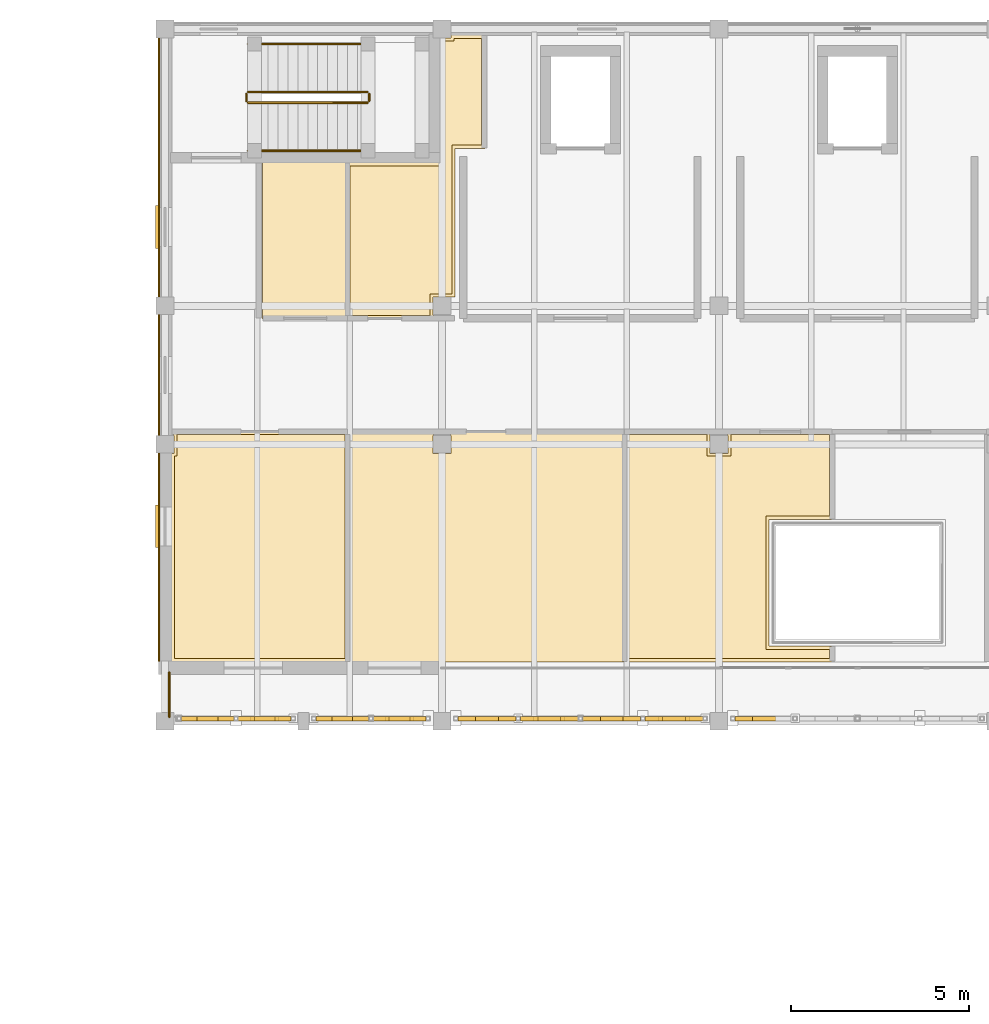
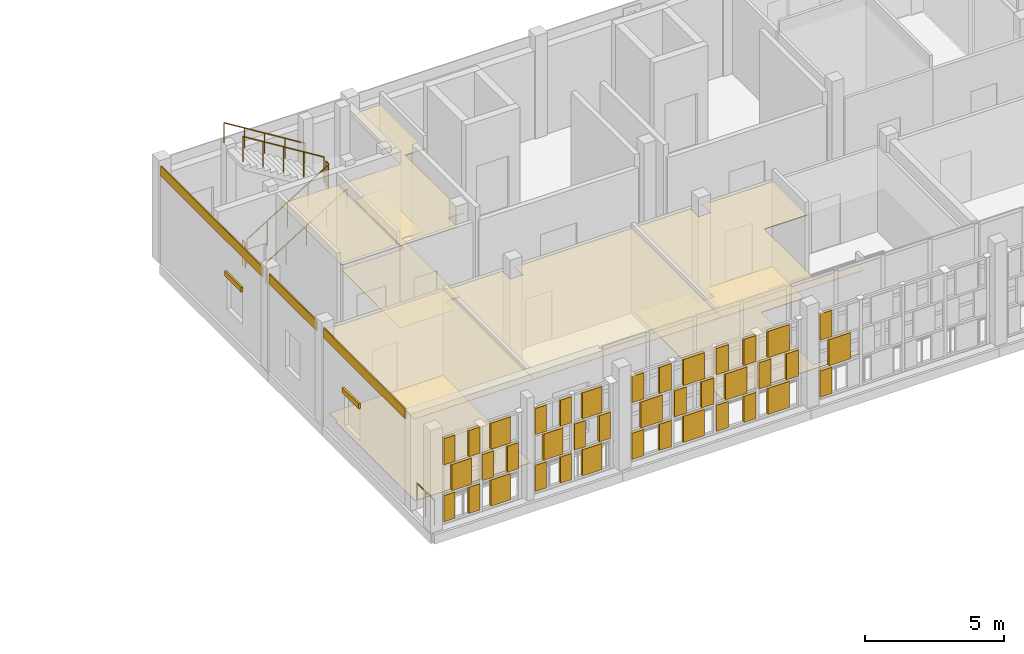
# One storey, part 82 of 89: 50 coverings, 7 railings, 2 shading devices.
"""IFC4 building model written with IfcOpenShell, lengths in metres."""

from ifc_helpers import new_model, si_unit, direction, frame, origin, origin_2d, place, context, subcontext, project, spatial, polyline, rectangle, circle, outline, extrude, material, layer, layer_set, type_object, element, save


model = new_model("IFC4")

# Units and contexts
model_context = context("Model", 3, precision=1e-05, world=origin(), true_north=direction((0.0, 1.0)))
body_context = subcontext(model_context, "Body", "Model", "MODEL_VIEW")
ifc_project = project(units=[si_unit("LENGTHUNIT", "METRE"), si_unit("AREAUNIT", "SQUARE_METRE"), si_unit("VOLUMEUNIT", "CUBIC_METRE"), si_unit("PLANEANGLEUNIT", "RADIAN"), si_unit("MASSUNIT", "GRAM", prefix="KILO")], contexts=[model_context])

# Site, building, storey
site_placement = place(None, origin())
site = spatial("IfcSite", under=ifc_project, at=site_placement, CompositionType="ELEMENT")
building_placement = place(site_placement, origin())
building = spatial("IfcBuilding", under=site, at=building_placement, Name="Celorna Specialist Clinic", CompositionType="ELEMENT")
storey_placement = place(building_placement, frame((0.0, 0.0, 14.10009765625)))
storey = spatial("IfcBuildingStorey", under=building, at=storey_placement, Name="L03", CompositionType="ELEMENT", Elevation=14.10009765625)

# Railing
ifc_material_1 = material(Name="Stainless steel and laminated glass balustrade", Category="steel")
railing_type_1 = type_object("IfcRailingType", Name="BL-01", PredefinedType="BALUSTRADE", material=ifc_material_1)
railing_1_placement = place(storey_placement, frame((46.919921875, 96.6201171875, 0.0)))
element("IfcRailing", 1, at=railing_1_placement, inside=storey, type_object=railing_type_1, Name="Neurology L03 Cloister Veranda perimeter balustrade 1", PredefinedType="BALUSTRADE", context=body_context, shape_type="SweptSolid", body=[
    extrude(circle(Radius=0.02392578125, at=origin_2d()), frame((0.0, 0.0, 1.09619140625), z_axis=(0.0, 1.0, 0.0), x_axis=(-1.0, 0.0, 0.0)), (0.0, 0.0, 1.0), 1.259765625),
    extrude(circle(Radius=0.02099609375, at=origin_2d()), origin(), (0.0, 0.0, 1.0), 1.072021484375),
    extrude(circle(Radius=0.02099609375, at=origin_2d()), frame((0.0, 0.6298828125, 0.0)), (0.0, 0.0, 1.0), 1.072021484375),
    extrude(circle(Radius=0.02099609375, at=origin_2d()), frame((0.0, 1.259765625, 0.0)), (0.0, 0.0, 1.0), 1.072021484375),
])

# Coverings
ifc_material_2 = material(Name="Hygienic acoustic mineral-fibre ceiling")
ifc_layer_1 = layer(ifc_material_2, 0.030029296875, Name="Hygienic acoustic mineral-fibre ceiling")
ifc_layer_set_1 = layer_set([ifc_layer_1], Name="Hygienic acoustic mineral-fibre ceiling")
covering_type_1 = type_object("IfcCoveringType", Name="CE-01", PredefinedType="CEILING", material=ifc_layer_set_1)
covering_1_placement = place(storey_placement, frame((0.0, 0.0, 3.669921875)))
element("IfcCovering", 2, at=covering_1_placement, inside=storey, type_object=covering_type_1, Name="Acoustic ceiling L03-012", PredefinedType="CEILING", context=body_context, shape_type="SweptSolid", body=[
    extrude(outline(polyline([(47.044921875, 104.6650390625), (51.955078125, 104.6650390625), (51.955078125, 98.175048828125), (46.97509765625, 98.175048828125), (46.97509765625, 104.044921875), (47.054931640625, 104.044921875), (47.054931640625, 104.554931640625), (47.044921875, 104.554931640625), (47.044921875, 104.6650390625)])), origin(), (0.0, 0.0, 1.0), 0.030029296875),
])
covering_2_placement = place(storey_placement, frame((0.0, 0.0, 3.669921875)))
element("IfcCovering", 3, at=covering_2_placement, inside=storey, type_object=covering_type_1, Name="Acoustic ceiling L03-013", PredefinedType="CEILING", context=body_context, shape_type="SweptSolid", body=[
    extrude(outline(polyline([(54.35498046875, 104.6650390625), (54.35498046875, 104.554931640625), (54.344970703125, 104.554931640625), (54.344970703125, 104.044921875), (54.85498046875, 104.044921875), (54.85498046875, 104.554931640625), (54.844970703125, 104.554931640625), (54.844970703125, 104.6650390625), (59.7548828125, 104.6650390625), (59.7548828125, 98.175048828125), (51.925048828125, 98.175048828125), (51.925048828125, 104.6650390625), (54.35498046875, 104.6650390625)])), origin(), (0.0, 0.0, 1.0), 0.030029296875),
])
covering_3_placement = place(storey_placement, frame((0.0, 0.0, 3.669921875)))
element("IfcCovering", 4, at=covering_3_placement, inside=storey, type_object=covering_type_1, Name="Acoustic ceiling L03-014", PredefinedType="CEILING", context=body_context, shape_type="SweptSolid", body=[
    extrude(outline(polyline([(59.72509765625, 104.6650390625), (62.155029296875, 104.6650390625), (62.155029296875, 104.554931640625), (62.14501953125, 104.554931640625), (62.14501953125, 104.044921875), (62.655029296875, 104.044921875), (62.655029296875, 104.554931640625), (62.64501953125, 104.554931640625), (62.64501953125, 104.6650390625), (65.60498046875, 104.6650390625), (65.60498046875, 102.18505859375), (63.81494140625, 102.18505859375), (63.81494140625, 98.614990234375), (65.60498046875, 98.614990234375), (65.60498046875, 98.175048828125), (59.72509765625, 98.175048828125), (59.72509765625, 104.6650390625)])), origin(), (0.0, 0.0, 1.0), 0.030029296875),
])
covering_4_placement = place(storey_placement, frame((0.0, 0.0, 3.669921875)))
element("IfcCovering", 5, at=covering_4_placement, inside=storey, type_object=covering_type_1, Name="Acoustic ceiling L03-027", PredefinedType="CEILING", context=body_context, shape_type="SweptSolid", body=[
    extrude(outline(polyline([(49.544921875, 112.235107421875), (51.955078125, 112.235107421875), (51.955078125, 107.8349609375), (49.544921875, 107.8349609375), (49.544921875, 112.235107421875)])), origin(), (0.0, 0.0, 1.0), 0.030029296875),
])
covering_5_placement = place(storey_placement, frame((0.0, 0.0, 3.669921875)))
element("IfcCovering", 6, at=covering_5_placement, inside=storey, type_object=covering_type_1, Name="Acoustic ceiling L03-028", PredefinedType="CEILING", context=body_context, shape_type="SweptSolid", body=[
    extrude(outline(polyline([(51.925048828125, 107.8349609375), (51.925048828125, 112.235107421875), (54.52490234375, 112.235107421875), (54.52490234375, 115.7451171875), (54.85498046875, 115.7451171875), (54.85498046875, 115.824951171875), (55.804931640625, 115.824951171875), (55.804931640625, 112.635009765625), (54.965087890625, 112.635009765625), (54.965087890625, 108.445068359375), (54.85498046875, 108.445068359375), (54.85498046875, 108.455078125), (54.344970703125, 108.455078125), (54.344970703125, 107.945068359375), (54.35498046875, 107.945068359375), (54.35498046875, 107.8349609375), (51.925048828125, 107.8349609375)])), origin(), (0.0, 0.0, 1.0), 0.030029296875),
])
ifc_material_3 = material(Name="Pero Pinheiro Lioz limestone rainscreen cladding", Category="masonry")
ifc_layer_2 = layer(ifc_material_3, 0.044921875, Name="Pero Pinheiro Lioz limestone rainscreen cladding")
ifc_layer_set_2 = layer_set([ifc_layer_2], Name="Pero Pinheiro Lioz limestone rainscreen cladding")
covering_type_2 = type_object("IfcCoveringType", Name="CL-01", PredefinedType="CLADDING", material=ifc_layer_set_2)
covering_6_placement = place(storey_placement, frame((46.632568359375, 101.1201171875, 3.81982421875), z_axis=(0.0, 0.0, 1.0), x_axis=(0.0, 1.0, 0.0)))
element("IfcCovering", 7, at=covering_6_placement, inside=storey, type_object=covering_type_2, Name="Lioz spandrel cladding #268", PredefinedType="CLADDING", context=body_context, shape_type="SweptSolid", body=[
    extrude(rectangle(XDim=5.860107421875, YDim=0.044921875, at=origin_2d()), origin(), (0.0, 0.0, 1.0), 0.43994140625),
])
covering_7_placement = place(storey_placement, frame((46.632568359375, 106.25, 3.81982421875), z_axis=(0.0, 0.0, 1.0), x_axis=(0.0, 1.0, 0.0)))
element("IfcCovering", 8, at=covering_7_placement, inside=storey, type_object=covering_type_2, Name="Lioz spandrel cladding #269", PredefinedType="CLADDING", context=body_context, shape_type="SweptSolid", body=[
    extrude(rectangle(XDim=3.39990234375, YDim=0.044921875, at=origin_2d()), origin(), (0.0, 0.0, 1.0), 0.43994140625),
])
covering_8_placement = place(storey_placement, frame((46.632568359375, 112.10009765625, 3.81982421875), z_axis=(0.0, 0.0, 1.0), x_axis=(0.0, 1.0, 0.0)))
element("IfcCovering", 9, at=covering_8_placement, inside=storey, type_object=covering_type_2, Name="Lioz spandrel cladding #270", PredefinedType="CLADDING", context=body_context, shape_type="SweptSolid", body=[
    extrude(rectangle(XDim=7.300048828125, YDim=0.044921875, at=origin_2d()), origin(), (0.0, 0.0, 1.0), 0.43994140625),
])
ifc_material_4 = material(Name="Perforated terracotta brick weave cladding", Category="masonry")
ifc_layer_3 = layer(ifc_material_4, 0.114990234375, Name="Perforated terracotta brick weave cladding")
ifc_layer_set_3 = layer_set([ifc_layer_3], Name="Perforated terracotta brick weave cladding")
covering_type_3 = type_object("IfcCoveringType", Name="CL-02", PredefinedType="CLADDING", material=ifc_layer_set_3)
for number, where, z_axis, x_axis, name in (
    (10, (47.477294921875, 96.570068359375, 0.10009765625), (0.0, 0.0, 1.0), (1.0, 0.0, 0.0), "Woven perforated terracotta brick course #1058"),
    (11, (48.5126953125, 96.570068359375, 0.10009765625), (0.0, 0.0, 1.0), (1.0, 0.0, 0.0), "Woven perforated terracotta brick course #1059"),
):
    element("IfcCovering", number, at=place(storey_placement, frame(where, z_axis=z_axis, x_axis=x_axis)), inside=storey, type_object=covering_type_3, Name=name, PredefinedType="CLADDING", context=body_context, shape_type="SweptSolid", body=[
        extrude(rectangle(XDim=0.45458984375, YDim=0.114990234375, at=origin_2d()), origin(), (0.0, 0.0, 1.0), 1.146728515625),
    ])
covering_9_placement = place(storey_placement, frame((47.9951171875, 96.570068359375, 1.3466796875), z_axis=(0.0, 0.0, 1.0), x_axis=(1.0, 0.0, 0.0)))
element("IfcCovering", 12, at=covering_9_placement, inside=storey, type_object=covering_type_3, Name="Woven perforated terracotta brick course #1060", PredefinedType="CLADDING", context=body_context, shape_type="SweptSolid", body=[
    extrude(rectangle(XDim=0.8046875, YDim=0.114990234375, at=origin_2d()), origin(), (0.0, 0.0, 1.0), 1.146484375),
])
for number, where, z_axis, x_axis, name in (
    (13, (47.477294921875, 96.570068359375, 2.59326171875), (0.0, 0.0, 1.0), (1.0, 0.0, 0.0), "Woven perforated terracotta brick course #1061"),
    (14, (48.5126953125, 96.570068359375, 2.59326171875), (0.0, 0.0, 1.0), (1.0, 0.0, 0.0), "Woven perforated terracotta brick course #1062"),
):
    element("IfcCovering", number, at=place(storey_placement, frame(where, z_axis=z_axis, x_axis=x_axis)), inside=storey, type_object=covering_type_3, Name=name, PredefinedType="CLADDING", context=body_context, shape_type="SweptSolid", body=[
        extrude(rectangle(XDim=0.45458984375, YDim=0.114990234375, at=origin_2d()), origin(), (0.0, 0.0, 1.0), 1.146728515625),
    ])
covering_10_placement = place(storey_placement, frame((49.60498046875, 96.570068359375, 0.10009765625), z_axis=(0.0, 0.0, 1.0), x_axis=(1.0, 0.0, 0.0)))
element("IfcCovering", 15, at=covering_10_placement, inside=storey, type_object=covering_type_3, Name="Woven perforated terracotta brick course #1063", PredefinedType="CLADDING", context=body_context, shape_type="SweptSolid", body=[
    extrude(rectangle(XDim=0.8046875, YDim=0.114990234375, at=origin_2d()), origin(), (0.0, 0.0, 1.0), 1.146728515625),
])
for number, where, z_axis, x_axis, name in (
    (16, (49.087158203125, 96.570068359375, 1.3466796875), (0.0, 0.0, 1.0), (1.0, 0.0, 0.0), "Woven perforated terracotta brick course #1064"),
    (17, (50.122802734375, 96.570068359375, 1.3466796875), (0.0, 0.0, 1.0), (1.0, 0.0, 0.0), "Woven perforated terracotta brick course #1065"),
):
    element("IfcCovering", number, at=place(storey_placement, frame(where, z_axis=z_axis, x_axis=x_axis)), inside=storey, type_object=covering_type_3, Name=name, PredefinedType="CLADDING", context=body_context, shape_type="SweptSolid", body=[
        extrude(rectangle(XDim=0.45458984375, YDim=0.114990234375, at=origin_2d()), origin(), (0.0, 0.0, 1.0), 1.146484375),
    ])
covering_11_placement = place(storey_placement, frame((49.60498046875, 96.570068359375, 2.59326171875), z_axis=(0.0, 0.0, 1.0), x_axis=(1.0, 0.0, 0.0)))
element("IfcCovering", 18, at=covering_11_placement, inside=storey, type_object=covering_type_3, Name="Woven perforated terracotta brick course #1066", PredefinedType="CLADDING", context=body_context, shape_type="SweptSolid", body=[
    extrude(rectangle(XDim=0.8046875, YDim=0.114990234375, at=origin_2d()), origin(), (0.0, 0.0, 1.0), 1.146728515625),
])
for number, where, z_axis, x_axis, name in (
    (19, (51.277099609375, 96.570068359375, 0.10009765625), (0.0, 0.0, 1.0), (1.0, 0.0, 0.0), "Woven perforated terracotta brick course #1067"),
    (20, (52.312744140625, 96.570068359375, 0.10009765625), (0.0, 0.0, 1.0), (1.0, 0.0, 0.0), "Woven perforated terracotta brick course #1068"),
):
    element("IfcCovering", number, at=place(storey_placement, frame(where, z_axis=z_axis, x_axis=x_axis)), inside=storey, type_object=covering_type_3, Name=name, PredefinedType="CLADDING", context=body_context, shape_type="SweptSolid", body=[
        extrude(rectangle(XDim=0.454345703125, YDim=0.114990234375, at=origin_2d()), origin(), (0.0, 0.0, 1.0), 1.146728515625),
    ])
covering_12_placement = place(storey_placement, frame((51.794921875, 96.570068359375, 1.3466796875), z_axis=(0.0, 0.0, 1.0), x_axis=(1.0, 0.0, 0.0)))
element("IfcCovering", 21, at=covering_12_placement, inside=storey, type_object=covering_type_3, Name="Woven perforated terracotta brick course #1069", PredefinedType="CLADDING", context=body_context, shape_type="SweptSolid", body=[
    extrude(rectangle(XDim=0.8046875, YDim=0.114990234375, at=origin_2d()), origin(), (0.0, 0.0, 1.0), 1.146484375),
])
for number, where, z_axis, x_axis, name in (
    (22, (51.277099609375, 96.570068359375, 2.59326171875), (0.0, 0.0, 1.0), (1.0, 0.0, 0.0), "Woven perforated terracotta brick course #1070"),
    (23, (52.312744140625, 96.570068359375, 2.59326171875), (0.0, 0.0, 1.0), (1.0, 0.0, 0.0), "Woven perforated terracotta brick course #1071"),
):
    element("IfcCovering", number, at=place(storey_placement, frame(where, z_axis=z_axis, x_axis=x_axis)), inside=storey, type_object=covering_type_3, Name=name, PredefinedType="CLADDING", context=body_context, shape_type="SweptSolid", body=[
        extrude(rectangle(XDim=0.454345703125, YDim=0.114990234375, at=origin_2d()), origin(), (0.0, 0.0, 1.0), 1.146728515625),
    ])
covering_13_placement = place(storey_placement, frame((53.405029296875, 96.570068359375, 0.10009765625), z_axis=(0.0, 0.0, 1.0), x_axis=(1.0, 0.0, 0.0)))
element("IfcCovering", 24, at=covering_13_placement, inside=storey, type_object=covering_type_3, Name="Woven perforated terracotta brick course #1072", PredefinedType="CLADDING", context=body_context, shape_type="SweptSolid", body=[
    extrude(rectangle(XDim=0.8046875, YDim=0.114990234375, at=origin_2d()), origin(), (0.0, 0.0, 1.0), 1.146728515625),
])
for number, where, z_axis, x_axis, name in (
    (25, (52.88720703125, 96.570068359375, 1.3466796875), (0.0, 0.0, 1.0), (1.0, 0.0, 0.0), "Woven perforated terracotta brick course #1073"),
    (26, (53.9228515625, 96.570068359375, 1.3466796875), (0.0, 0.0, 1.0), (1.0, 0.0, 0.0), "Woven perforated terracotta brick course #1074"),
):
    element("IfcCovering", number, at=place(storey_placement, frame(where, z_axis=z_axis, x_axis=x_axis)), inside=storey, type_object=covering_type_3, Name=name, PredefinedType="CLADDING", context=body_context, shape_type="SweptSolid", body=[
        extrude(rectangle(XDim=0.454345703125, YDim=0.114990234375, at=origin_2d()), origin(), (0.0, 0.0, 1.0), 1.146484375),
    ])
covering_14_placement = place(storey_placement, frame((53.405029296875, 96.570068359375, 2.59326171875), z_axis=(0.0, 0.0, 1.0), x_axis=(1.0, 0.0, 0.0)))
element("IfcCovering", 27, at=covering_14_placement, inside=storey, type_object=covering_type_3, Name="Woven perforated terracotta brick course #1075", PredefinedType="CLADDING", context=body_context, shape_type="SweptSolid", body=[
    extrude(rectangle(XDim=0.8046875, YDim=0.114990234375, at=origin_2d()), origin(), (0.0, 0.0, 1.0), 1.146728515625),
])
for number, where, z_axis, x_axis, name in (
    (28, (55.29931640625, 96.570068359375, 0.10009765625), (0.0, 0.0, 1.0), (1.0, 0.0, 0.0), "Woven perforated terracotta brick course #1076"),
    (29, (56.435791015625, 96.570068359375, 0.10009765625), (0.0, 0.0, 1.0), (1.0, 0.0, 0.0), "Woven perforated terracotta brick course #1077"),
):
    element("IfcCovering", number, at=place(storey_placement, frame(where, z_axis=z_axis, x_axis=x_axis)), inside=storey, type_object=covering_type_3, Name=name, PredefinedType="CLADDING", context=body_context, shape_type="SweptSolid", body=[
        extrude(rectangle(XDim=0.498779296875, YDim=0.114990234375, at=origin_2d()), origin(), (0.0, 0.0, 1.0), 1.146728515625),
    ])
covering_15_placement = place(storey_placement, frame((55.867431640625, 96.570068359375, 1.3466796875), z_axis=(0.0, 0.0, 1.0), x_axis=(1.0, 0.0, 0.0)))
element("IfcCovering", 30, at=covering_15_placement, inside=storey, type_object=covering_type_3, Name="Woven perforated terracotta brick course #1078", PredefinedType="CLADDING", context=body_context, shape_type="SweptSolid", body=[
    extrude(rectangle(XDim=0.8828125, YDim=0.114990234375, at=origin_2d()), origin(), (0.0, 0.0, 1.0), 1.146484375),
])
for number, where, z_axis, x_axis, name in (
    (31, (55.29931640625, 96.570068359375, 2.59326171875), (0.0, 0.0, 1.0), (1.0, 0.0, 0.0), "Woven perforated terracotta brick course #1079"),
    (32, (56.435791015625, 96.570068359375, 2.59326171875), (0.0, 0.0, 1.0), (1.0, 0.0, 0.0), "Woven perforated terracotta brick course #1080"),
):
    element("IfcCovering", number, at=place(storey_placement, frame(where, z_axis=z_axis, x_axis=x_axis)), inside=storey, type_object=covering_type_3, Name=name, PredefinedType="CLADDING", context=body_context, shape_type="SweptSolid", body=[
        extrude(rectangle(XDim=0.498779296875, YDim=0.114990234375, at=origin_2d()), origin(), (0.0, 0.0, 1.0), 1.146728515625),
    ])
covering_16_placement = place(storey_placement, frame((57.62255859375, 96.570068359375, 0.10009765625), z_axis=(0.0, 0.0, 1.0), x_axis=(1.0, 0.0, 0.0)))
element("IfcCovering", 33, at=covering_16_placement, inside=storey, type_object=covering_type_3, Name="Woven perforated terracotta brick course #1081", PredefinedType="CLADDING", context=body_context, shape_type="SweptSolid", body=[
    extrude(rectangle(XDim=0.8828125, YDim=0.114990234375, at=origin_2d()), origin(), (0.0, 0.0, 1.0), 1.146728515625),
])
for number, where, z_axis, x_axis, name in (
    (34, (57.05419921875, 96.570068359375, 1.3466796875), (0.0, 0.0, 1.0), (1.0, 0.0, 0.0), "Woven perforated terracotta brick course #1082"),
    (35, (58.190673828125, 96.570068359375, 1.3466796875), (0.0, 0.0, 1.0), (1.0, 0.0, 0.0), "Woven perforated terracotta brick course #1083"),
):
    element("IfcCovering", number, at=place(storey_placement, frame(where, z_axis=z_axis, x_axis=x_axis)), inside=storey, type_object=covering_type_3, Name=name, PredefinedType="CLADDING", context=body_context, shape_type="SweptSolid", body=[
        extrude(rectangle(XDim=0.498779296875, YDim=0.114990234375, at=origin_2d()), origin(), (0.0, 0.0, 1.0), 1.146484375),
    ])
covering_17_placement = place(storey_placement, frame((57.62255859375, 96.570068359375, 2.59326171875), z_axis=(0.0, 0.0, 1.0), x_axis=(1.0, 0.0, 0.0)))
element("IfcCovering", 36, at=covering_17_placement, inside=storey, type_object=covering_type_3, Name="Woven perforated terracotta brick course #1084", PredefinedType="CLADDING", context=body_context, shape_type="SweptSolid", body=[
    extrude(rectangle(XDim=0.8828125, YDim=0.114990234375, at=origin_2d()), origin(), (0.0, 0.0, 1.0), 1.146728515625),
])
for number, where, z_axis, x_axis, name in (
    (37, (58.809326171875, 96.570068359375, 0.10009765625), (0.0, 0.0, 1.0), (1.0, 0.0, 0.0), "Woven perforated terracotta brick course #1085"),
    (38, (59.94580078125, 96.570068359375, 0.10009765625), (0.0, 0.0, 1.0), (1.0, 0.0, 0.0), "Woven perforated terracotta brick course #1086"),
):
    element("IfcCovering", number, at=place(storey_placement, frame(where, z_axis=z_axis, x_axis=x_axis)), inside=storey, type_object=covering_type_3, Name=name, PredefinedType="CLADDING", context=body_context, shape_type="SweptSolid", body=[
        extrude(rectangle(XDim=0.498779296875, YDim=0.114990234375, at=origin_2d()), origin(), (0.0, 0.0, 1.0), 1.146728515625),
    ])
covering_18_placement = place(storey_placement, frame((59.37744140625, 96.570068359375, 1.3466796875), z_axis=(0.0, 0.0, 1.0), x_axis=(1.0, 0.0, 0.0)))
element("IfcCovering", 39, at=covering_18_placement, inside=storey, type_object=covering_type_3, Name="Woven perforated terracotta brick course #1087", PredefinedType="CLADDING", context=body_context, shape_type="SweptSolid", body=[
    extrude(rectangle(XDim=0.8828125, YDim=0.114990234375, at=origin_2d()), origin(), (0.0, 0.0, 1.0), 1.146484375),
])
for number, where, z_axis, x_axis, name in (
    (40, (58.809326171875, 96.570068359375, 2.59326171875), (0.0, 0.0, 1.0), (1.0, 0.0, 0.0), "Woven perforated terracotta brick course #1088"),
    (41, (59.94580078125, 96.570068359375, 2.59326171875), (0.0, 0.0, 1.0), (1.0, 0.0, 0.0), "Woven perforated terracotta brick course #1089"),
):
    element("IfcCovering", number, at=place(storey_placement, frame(where, z_axis=z_axis, x_axis=x_axis)), inside=storey, type_object=covering_type_3, Name=name, PredefinedType="CLADDING", context=body_context, shape_type="SweptSolid", body=[
        extrude(rectangle(XDim=0.498779296875, YDim=0.114990234375, at=origin_2d()), origin(), (0.0, 0.0, 1.0), 1.146728515625),
    ])
covering_19_placement = place(storey_placement, frame((61.132568359375, 96.570068359375, 0.10009765625), z_axis=(0.0, 0.0, 1.0), x_axis=(1.0, 0.0, 0.0)))
element("IfcCovering", 42, at=covering_19_placement, inside=storey, type_object=covering_type_3, Name="Woven perforated terracotta brick course #1090", PredefinedType="CLADDING", context=body_context, shape_type="SweptSolid", body=[
    extrude(rectangle(XDim=0.8828125, YDim=0.114990234375, at=origin_2d()), origin(), (0.0, 0.0, 1.0), 1.146728515625),
])
for number, where, z_axis, x_axis, name in (
    (43, (60.564208984375, 96.570068359375, 1.3466796875), (0.0, 0.0, 1.0), (1.0, 0.0, 0.0), "Woven perforated terracotta brick course #1091"),
    (44, (61.70068359375, 96.570068359375, 1.3466796875), (0.0, 0.0, 1.0), (1.0, 0.0, 0.0), "Woven perforated terracotta brick course #1092"),
):
    element("IfcCovering", number, at=place(storey_placement, frame(where, z_axis=z_axis, x_axis=x_axis)), inside=storey, type_object=covering_type_3, Name=name, PredefinedType="CLADDING", context=body_context, shape_type="SweptSolid", body=[
        extrude(rectangle(XDim=0.498779296875, YDim=0.114990234375, at=origin_2d()), origin(), (0.0, 0.0, 1.0), 1.146484375),
    ])
covering_20_placement = place(storey_placement, frame((61.132568359375, 96.570068359375, 2.59326171875), z_axis=(0.0, 0.0, 1.0), x_axis=(1.0, 0.0, 0.0)))
element("IfcCovering", 45, at=covering_20_placement, inside=storey, type_object=covering_type_3, Name="Woven perforated terracotta brick course #1093", PredefinedType="CLADDING", context=body_context, shape_type="SweptSolid", body=[
    extrude(rectangle(XDim=0.8828125, YDim=0.114990234375, at=origin_2d()), origin(), (0.0, 0.0, 1.0), 1.146728515625),
])
covering_21_placement = place(storey_placement, frame((63.099365234375, 96.570068359375, 0.10009765625), z_axis=(0.0, 0.0, 1.0), x_axis=(1.0, 0.0, 0.0)))
element("IfcCovering", 46, at=covering_21_placement, inside=storey, type_object=covering_type_3, Name="Woven perforated terracotta brick course #1094", PredefinedType="CLADDING", context=body_context, shape_type="SweptSolid", body=[
    extrude(rectangle(XDim=0.498779296875, YDim=0.114990234375, at=origin_2d()), origin(), (0.0, 0.0, 1.0), 1.146728515625),
])
covering_22_placement = place(storey_placement, frame((63.66748046875, 96.570068359375, 1.3466796875), z_axis=(0.0, 0.0, 1.0), x_axis=(1.0, 0.0, 0.0)))
element("IfcCovering", 47, at=covering_22_placement, inside=storey, type_object=covering_type_3, Name="Woven perforated terracotta brick course #1096", PredefinedType="CLADDING", context=body_context, shape_type="SweptSolid", body=[
    extrude(rectangle(XDim=0.8828125, YDim=0.114990234375, at=origin_2d()), origin(), (0.0, 0.0, 1.0), 1.146484375),
])
covering_23_placement = place(storey_placement, frame((63.099365234375, 96.570068359375, 2.59326171875), z_axis=(0.0, 0.0, 1.0), x_axis=(1.0, 0.0, 0.0)))
element("IfcCovering", 48, at=covering_23_placement, inside=storey, type_object=covering_type_3, Name="Woven perforated terracotta brick course #1097", PredefinedType="CLADDING", context=body_context, shape_type="SweptSolid", body=[
    extrude(rectangle(XDim=0.498779296875, YDim=0.114990234375, at=origin_2d()), origin(), (0.0, 0.0, 1.0), 1.146728515625),
])
ifc_material_5 = material(Name="Seamless antimicrobial clinical vinyl and Lioz terrazzo flooring")
ifc_layer_4 = layer(ifc_material_5, 0.02001953125, Name="Seamless antimicrobial clinical vinyl and Lioz terrazzo flooring")
ifc_layer_set_4 = layer_set([ifc_layer_4], Name="Seamless antimicrobial clinical vinyl and Lioz terrazzo flooring")
covering_type_4 = type_object("IfcCoveringType", Name="FL-01", PredefinedType="FLOORING", material=ifc_layer_set_4)
covering_24_placement = place(storey_placement, origin())
element("IfcCovering", 49, at=covering_24_placement, inside=storey, type_object=covering_type_4, Name="Antimicrobial clinical flooring L03-012", PredefinedType="FLOORING", context=body_context, shape_type="SweptSolid", body=[
    extrude(outline(polyline([(47.06494140625, 103.965087890625), (47.135009765625, 103.965087890625), (47.135009765625, 104.574951171875), (51.864990234375, 104.574951171875), (51.864990234375, 98.264892578125), (47.06494140625, 98.264892578125), (47.06494140625, 103.965087890625)])), origin(), (0.0, 0.0, 1.0), 0.02001953125),
])
covering_25_placement = place(storey_placement, origin())
element("IfcCovering", 50, at=covering_25_placement, inside=storey, type_object=covering_type_4, Name="Antimicrobial clinical flooring L03-014", PredefinedType="FLOORING", context=body_context, shape_type="SweptSolid", body=[
    extrude(outline(polyline([(59.81494140625, 98.264892578125), (59.81494140625, 104.574951171875), (62.06494140625, 104.574951171875), (62.06494140625, 103.965087890625), (62.735107421875, 103.965087890625), (62.735107421875, 104.574951171875), (65.514892578125, 104.574951171875), (65.514892578125, 102.27490234375), (63.72509765625, 102.27490234375), (63.72509765625, 98.52490234375), (65.514892578125, 98.52490234375), (65.514892578125, 98.264892578125), (59.81494140625, 98.264892578125)])), origin(), (0.0, 0.0, 1.0), 0.02001953125),
])
covering_26_placement = place(storey_placement, origin())
element("IfcCovering", 51, at=covering_26_placement, inside=storey, type_object=covering_type_4, Name="Antimicrobial clinical flooring L03-028", PredefinedType="FLOORING", context=body_context, shape_type="SweptSolid", body=[
    extrude(outline(polyline([(54.264892578125, 107.925048828125), (52.014892578125, 107.925048828125), (52.014892578125, 112.14501953125), (54.614990234375, 112.14501953125), (54.614990234375, 115.6650390625), (54.93505859375, 115.6650390625), (54.93505859375, 115.735107421875), (55.715087890625, 115.735107421875), (55.715087890625, 112.72509765625), (54.875, 112.72509765625), (54.875, 108.534912109375), (54.264892578125, 108.534912109375), (54.264892578125, 107.925048828125)])), origin(), (0.0, 0.0, 1.0), 0.02001953125),
])

# Railings
ifc_material_6 = material(Name="Powder-coated steel S355", Category="steel")
railing_type_2 = type_object("IfcRailingType", Name="GR-01", PredefinedType="GUARDRAIL", material=ifc_material_6)
railing_2_placement = place(storey_placement, frame((49.139892578125, 113.919921875, 0.173095703125)))
element("IfcRailing", 52, at=railing_2_placement, inside=storey, type_object=railing_type_2, Name="L03 ST-01 stair guard 1", PredefinedType="GUARDRAIL", context=body_context, shape_type="SweptSolid", body=[
    extrude(circle(Radius=0.02392578125, at=origin_2d()), frame((0.0, 0.0, 1.09619140625), z_axis=(0.850623216509, 0.0, 0.525775754039), x_axis=(0.0, 1.0, 0.0)), (0.0, 0.0, 1.0), 3.9501953125),
    extrude(circle(Radius=0.02099609375, at=origin_2d()), origin(), (0.0, 0.0, 1.0), 1.072021484375),
    extrude(circle(Radius=0.02099609375, at=origin_2d()), frame((0.840087890625, 0.0, 0.519287109375)), (0.0, 0.0, 1.0), 1.072021484375),
    extrude(circle(Radius=0.02099609375, at=origin_2d()), frame((1.68017578125, 0.0, 1.03857421875)), (0.0, 0.0, 1.0), 1.072021484375),
    extrude(circle(Radius=0.02099609375, at=origin_2d()), frame((2.52001953125, 0.0, 1.5576171875)), (0.0, 0.0, 1.0), 1.072021484375),
    extrude(circle(Radius=0.02099609375, at=origin_2d()), frame((3.360107421875, 0.0, 2.076904296875)), (0.0, 0.0, 1.0), 1.072021484375),
])
railing_3_placement = place(storey_placement, frame((52.550048828125, 113.969970703125, 2.25)))
element("IfcRailing", 53, at=railing_3_placement, inside=storey, type_object=railing_type_2, Name="L03 ST-01 stair guard 2", PredefinedType="GUARDRAIL", context=body_context, shape_type="SweptSolid", body=[
    extrude(circle(Radius=0.02392578125, at=origin_2d()), frame((0.0, 0.0, 1.09619140625), z_axis=(0.0, 1.0, 0.0), x_axis=(-1.0, 0.0, 0.0)), (0.0, 0.0, 1.0), 0.199951171875),
    extrude(circle(Radius=0.02099609375, at=origin_2d()), origin(), (0.0, 0.0, 1.0), 1.072021484375),
    extrude(circle(Radius=0.02099609375, at=origin_2d()), frame((0.0, 0.199951171875, 0.0)), (0.0, 0.0, 1.0), 1.072021484375),
])
railing_4_placement = place(storey_placement, frame((52.5, 114.219970703125, 2.423095703125)))
element("IfcRailing", 54, at=railing_4_placement, inside=storey, type_object=railing_type_2, Name="L03 ST-01 stair guard 3", PredefinedType="GUARDRAIL", context=body_context, shape_type="SweptSolid", body=[
    extrude(circle(Radius=0.02392578125, at=origin_2d()), frame((0.0, 0.0, 1.09619140625), z_axis=(-0.850623216509, 0.0, 0.525775754039), x_axis=(0.0, -1.0, 0.0)), (0.0, 0.0, 1.0), 3.9501953125),
    extrude(circle(Radius=0.02099609375, at=origin_2d()), origin(), (0.0, 0.0, 1.0), 1.072021484375),
    extrude(circle(Radius=0.02099609375, at=origin_2d()), frame((-0.840087890625, 0.0, 0.519287109375)), (0.0, 0.0, 1.0), 1.072021484375),
    extrude(circle(Radius=0.02099609375, at=origin_2d()), frame((-1.68017578125, 0.0, 1.03857421875)), (0.0, 0.0, 1.0), 1.072021484375),
    extrude(circle(Radius=0.02099609375, at=origin_2d()), frame((-2.52001953125, 0.0, 1.5576171875)), (0.0, 0.0, 1.0), 1.072021484375),
    extrude(circle(Radius=0.02099609375, at=origin_2d()), frame((-3.360107421875, 0.0, 2.076904296875)), (0.0, 0.0, 1.0), 1.072021484375),
])
railing_5_placement = place(storey_placement, frame((49.090087890625, 113.969970703125, 0.0)))
element("IfcRailing", 55, at=railing_5_placement, inside=storey, type_object=railing_type_2, Name="L03 ST-01 stair guard 4", PredefinedType="GUARDRAIL", context=body_context, shape_type="SweptSolid", body=[
    extrude(circle(Radius=0.02392578125, at=origin_2d()), frame((0.0, 0.0, 1.09619140625), z_axis=(0.0, 1.0, 0.0), x_axis=(-1.0, 0.0, 0.0)), (0.0, 0.0, 1.0), 0.199951171875),
    extrude(circle(Radius=0.02099609375, at=origin_2d()), origin(), (0.0, 0.0, 1.0), 1.072021484375),
    extrude(circle(Radius=0.02099609375, at=origin_2d()), frame((0.0, 0.199951171875, 0.0)), (0.0, 0.0, 1.0), 1.072021484375),
])
ifc_material_7 = material(Name="Brushed stainless steel handrail", Category="steel")
railing_type_3 = type_object("IfcRailingType", Name="HR-01", PredefinedType="HANDRAIL", material=ifc_material_7)
railing_6_placement = place(storey_placement, frame((49.139892578125, 112.570068359375, 0.173095703125)))
element("IfcRailing", 56, at=railing_6_placement, inside=storey, type_object=railing_type_3, Name="L03 ST-01 stair handrail 1", PredefinedType="HANDRAIL", context=body_context, shape_type="SweptSolid", body=[
    extrude(circle(Radius=0.02392578125, at=origin_2d()), frame((0.0, 0.0, 0.8759765625), z_axis=(0.850623216509, 0.0, 0.525775754039), x_axis=(0.0, 1.0, 0.0)), (0.0, 0.0, 1.0), 3.9501953125),
    extrude(circle(Radius=0.02099609375, at=origin_2d()), origin(), (0.0, 0.0, 1.0), 0.851806640625),
    extrude(circle(Radius=0.02099609375, at=origin_2d()), frame((0.840087890625, 0.0, 0.519287109375)), (0.0, 0.0, 1.0), 0.851806640625),
    extrude(circle(Radius=0.02099609375, at=origin_2d()), frame((1.68017578125, 0.0, 1.03857421875)), (0.0, 0.0, 1.0), 0.851806640625),
    extrude(circle(Radius=0.02099609375, at=origin_2d()), frame((2.52001953125, 0.0, 1.5576171875)), (0.0, 0.0, 1.0), 0.851806640625),
    extrude(circle(Radius=0.02099609375, at=origin_2d()), frame((3.360107421875, 0.0, 2.076904296875)), (0.0, 0.0, 1.0), 0.851806640625),
])
railing_7_placement = place(storey_placement, frame((52.5, 115.570068359375, 2.423095703125)))
element("IfcRailing", 57, at=railing_7_placement, inside=storey, type_object=railing_type_3, Name="L03 ST-01 stair handrail 2", PredefinedType="HANDRAIL", context=body_context, shape_type="SweptSolid", body=[
    extrude(circle(Radius=0.02392578125, at=origin_2d()), frame((0.0, 0.0, 0.8759765625), z_axis=(-0.850623216509, 0.0, 0.525775754039), x_axis=(0.0, -1.0, 0.0)), (0.0, 0.0, 1.0), 3.9501953125),
    extrude(circle(Radius=0.02099609375, at=origin_2d()), origin(), (0.0, 0.0, 1.0), 0.851806640625),
    extrude(circle(Radius=0.02099609375, at=origin_2d()), frame((-0.840087890625, 0.0, 0.519287109375)), (0.0, 0.0, 1.0), 0.851806640625),
    extrude(circle(Radius=0.02099609375, at=origin_2d()), frame((-1.68017578125, 0.0, 1.03857421875)), (0.0, 0.0, 1.0), 0.851806640625),
    extrude(circle(Radius=0.02099609375, at=origin_2d()), frame((-2.52001953125, 0.0, 1.5576171875)), (0.0, 0.0, 1.0), 0.851806640625),
    extrude(circle(Radius=0.02099609375, at=origin_2d()), frame((-3.360107421875, 0.0, 2.076904296875)), (0.0, 0.0, 1.0), 0.851806640625),
])

# Shading devices
ifc_material_8 = material(Name="Anodized aluminium solar louvre", Category="aluminium")
ifc_layer_5 = layer(ifc_material_8, 0.080078125, Name="Anodized aluminium solar louvre")
ifc_layer_set_5 = layer_set([ifc_layer_5], Name="Anodized aluminium solar louvre")
shading_device_type = type_object("IfcShadingDeviceType", Name="LV-01", PredefinedType="JALOUSIE", material=ifc_layer_set_5)
for number, where, z_axis, x_axis, name in (
    (58, (46.570068359375, 101.989990234375, 2.33984375), (0.0, 0.0, 1.0), (0.0, 1.0, 0.0), "External solar louvre LV-01 #146"),
    (59, (46.570068359375, 110.419921875, 2.33984375), (0.0, 0.0, 1.0), (0.0, 1.0, 0.0), "External solar louvre LV-01 #148"),
):
    element("IfcShadingDevice", number, at=place(storey_placement, frame(where, z_axis=z_axis, x_axis=x_axis)), inside=storey, type_object=shading_device_type, Name=name, PredefinedType="JALOUSIE", context=body_context, shape_type="SweptSolid", body=[
        extrude(rectangle(XDim=1.199951171875, YDim=0.080078125, at=origin_2d()), origin(), (0.0, 0.0, 1.0), 0.219970703125),
    ])

save(model, "model.ifc")
